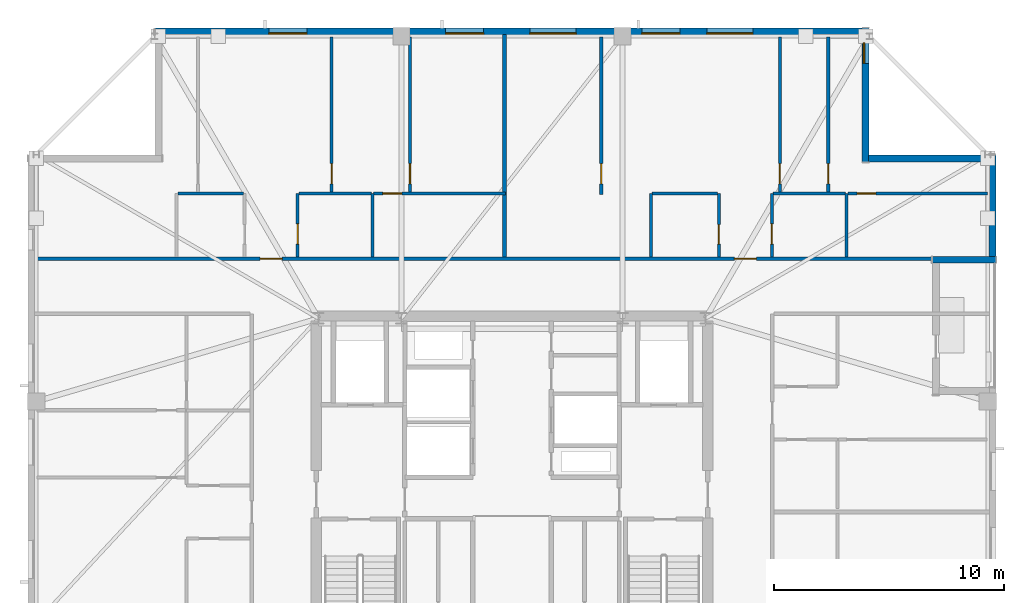
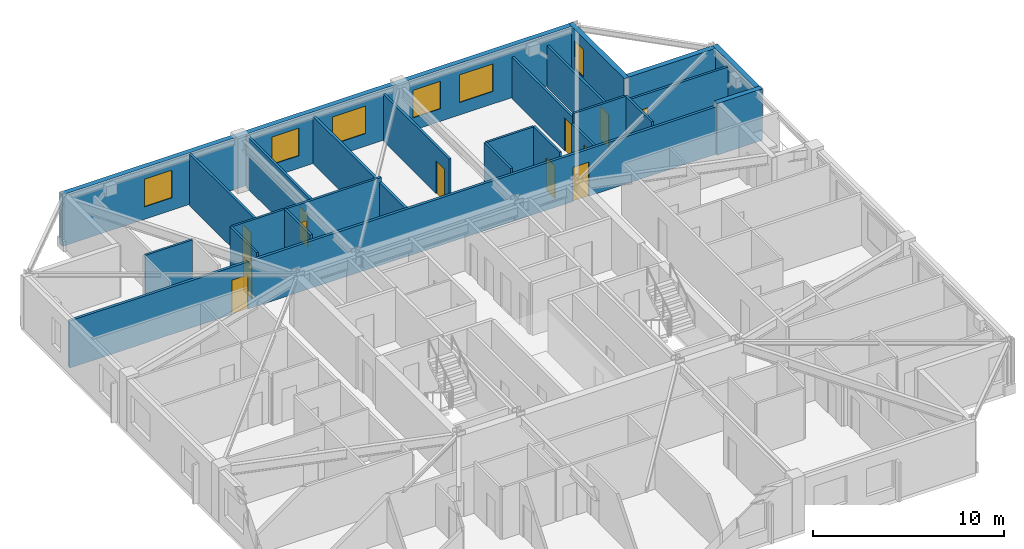
# One storey, part 11 of 16: 24 walls, 12 doors, 6 windows, 18 openings.
"""IFC4 building model written with IfcOpenShell, lengths in metres."""

from ifc_helpers import new_model, si_unit, direction, frame, frame_2d, origin, place, context, subcontext, project, spatial, rectangle, extrude, material, layer, layer_set, type_object, element, fill, save


model = new_model("IFC4")

# Units and contexts
model_context = context("Model", 3, precision=1e-05, world=origin(), true_north=direction((0.0, 1.0)))
body_context = subcontext(model_context, "Body", "Model", "MODEL_VIEW")
ifc_project = project(units=[si_unit("LENGTHUNIT", "METRE"), si_unit("AREAUNIT", "SQUARE_METRE"), si_unit("VOLUMEUNIT", "CUBIC_METRE"), si_unit("PLANEANGLEUNIT", "RADIAN"), si_unit("MASSUNIT", "GRAM", prefix="KILO")], contexts=[model_context])

# Site, building, storey
site_placement = place(None, origin())
site = spatial("IfcSite", under=ifc_project, at=site_placement, CompositionType="ELEMENT")
building_placement = place(site_placement, origin())
building = spatial("IfcBuilding", under=site, at=building_placement, Name="Cairnveth Concourse Tower", CompositionType="ELEMENT")
storey_placement = place(building_placement, frame((0.0, 0.0, 312.0)))
storey = spatial("IfcBuildingStorey", under=building, at=storey_placement, Name="L86", CompositionType="ELEMENT", Elevation=312.0)

# Wall, openings, doors
ifc_material_1 = material(Name="Gypsum Plasterboard Partition", Category="gypsum")
ifc_layer_1 = layer(ifc_material_1, 0.159912109375)
ifc_layer_set_1 = layer_set([ifc_layer_1], Name="Gypsum Plasterboard Partition")
wall_type_1 = type_object("IfcWallType", Name="ACOUSTIC PARTY WALL 180", PredefinedType="PARTITIONING", material=ifc_layer_set_1)
wall_1_placement = place(storey_placement, frame((31.284912109375, 49.99755859375, 0.0), z_axis=(0.0, 0.0, 1.0), x_axis=(1.0, 0.0, 0.0)))
wall_1 = element("IfcWall", 1, at=wall_1_placement, inside=storey, type_object=wall_type_1, Name="Interior Wall IW-L86-037", PredefinedType="PARTITIONING", context=body_context, shape_type="SweptSolid", body=[
    extrude(rectangle(XDim=38.97509765625, YDim=0.159912109375, at=frame_2d((19.487548828125, 0.0))), origin(), (0.0, 0.0, 1.0), 3.009033203125),
])
opening_1_placement = place(wall_1_placement, frame((9.782470703125, 0.0, 0.0)))
opening_1 = element("IfcOpeningElement", 2, at=opening_1_placement, cuts=wall_1, Name="Opening ID10", PredefinedType="OPENING", context=body_context, shape_type="SweptSolid", body=[
    extrude(rectangle(XDim=0.9599609375, YDim=2.179931640625, at=frame_2d((0.47998046875, 1.08984375))), frame((0.0, 0.08984375, 0.0), z_axis=(0.0, -1.0, 0.0), x_axis=(1.0, 0.0, 0.0)), (0.0, 0.0, 1.0), 0.179931640625),
])
opening_2_placement = place(wall_1_placement, frame((30.362548828125, 0.0, 0.0)))
opening_2 = element("IfcOpeningElement", 3, at=opening_2_placement, cuts=wall_1, Name="Opening ID10", PredefinedType="OPENING", context=body_context, shape_type="SweptSolid", body=[
    extrude(rectangle(XDim=0.9599609375, YDim=2.179931640625, at=frame_2d((0.47998046875, 1.08984375))), frame((0.0, 0.08984375, 0.0), z_axis=(0.0, -1.0, 0.0), x_axis=(1.0, 0.0, 0.0)), (0.0, 0.0, 1.0), 0.179931640625),
])
ifc_material_2 = material(Name="Solid Core Hardwood Timber Leaf", Category="wood")
door_type_1 = type_object("IfcDoorType", Name="FLAT ENTRANCE DOOR 960X2150", OperationType="NOTDEFINED", PredefinedType="DOOR", material=ifc_material_2)
door_1_placement = place(opening_1_placement, origin())
door_1 = element("IfcDoor", 4, at=door_1_placement, inside=storey, type_object=door_type_1, Name="Penthouse L86PN1 Entrance Door", OperationType="SINGLE_SWING_RIGHT", OverallHeight=2.179931640625, OverallWidth=0.9599609375, PredefinedType="DOOR", context=body_context, shape_type="SweptSolid", body=[
    extrude(rectangle(XDim=0.9599609375, YDim=2.179931640625, at=frame_2d((0.47998046875, 1.08984375))), frame((0.0, 0.02490234375, 0.0), z_axis=(0.0, -1.0, 0.0), x_axis=(1.0, 0.0, 0.0)), (0.0, 0.0, 1.0), 0.050048828125),
])
fill(opening_1, door_1)
door_2_placement = place(opening_2_placement, origin())
door_2 = element("IfcDoor", 5, at=door_2_placement, inside=storey, type_object=door_type_1, Name="Penthouse L86PN2 Entrance Door", OperationType="SINGLE_SWING_LEFT", OverallHeight=2.179931640625, OverallWidth=0.9599609375, PredefinedType="DOOR", context=body_context, shape_type="SweptSolid", body=[
    extrude(rectangle(XDim=0.9599609375, YDim=2.179931640625, at=frame_2d((0.47998046875, 1.08984375))), frame((0.0, 0.02490234375, 0.0), z_axis=(0.0, -1.0, 0.0), x_axis=(1.0, 0.0, 0.0)), (0.0, 0.0, 1.0), 0.050048828125),
])
fill(opening_2, door_2)

# Wall
wall_2_placement = place(storey_placement, frame((51.675048828125, 50.0625, 0.0), z_axis=(0.0, 0.0, 1.0), x_axis=(0.0, 1.0, 0.0)))
element("IfcWall", 6, at=wall_2_placement, inside=storey, type_object=wall_type_1, Name="Interior Wall IW-L86-075", PredefinedType="PARTITIONING", context=body_context, shape_type="SweptSolid", body=[
    extrude(rectangle(XDim=9.652587890625, YDim=0.159912109375, at=frame_2d((4.826171875, 0.0))), origin(), (0.0, 0.0, 1.0), 3.009033203125),
])

# Wall, opening, door
ifc_layer_2 = layer(ifc_material_1, 0.139892578125)
ifc_layer_set_2 = layer_set([ifc_layer_2], Name="Gypsum Plasterboard Partition")
wall_type_2 = type_object("IfcWallType", Name="GYPSUM STUD PARTITION 140", PredefinedType="PARTITIONING", material=ifc_layer_set_2)
wall_3_placement = place(storey_placement, frame((47.574951171875, 52.78759765625, 0.0), z_axis=(0.0, 0.0, 1.0), x_axis=(0.0, 1.0, 0.0)))
wall_3 = element("IfcWall", 7, at=wall_3_placement, inside=storey, type_object=wall_type_2, Name="Interior Wall IW-L86-072", PredefinedType="PARTITIONING", context=body_context, shape_type="SweptSolid", body=[
    extrude(rectangle(XDim=6.83251953125, YDim=0.139892578125, at=frame_2d((3.416259765625, 0.0))), origin(), (0.0, 0.0, 1.0), 3.2900390625),
])
opening_3_placement = place(wall_3_placement, frame((0.449951171875, 0.0, 0.0)))
opening_3 = element("IfcOpeningElement", 8, at=opening_3_placement, cuts=wall_3, Name="Opening ID18", PredefinedType="OPENING", context=body_context, shape_type="SweptSolid", body=[
    extrude(rectangle(XDim=0.8798828125, YDim=2.10009765625, at=frame_2d((0.43994140625, 1.050048828125))), frame((0.0, 0.079833984375, 0.0), z_axis=(0.0, -1.0, 0.0), x_axis=(1.0, 0.0, 0.0)), (0.0, 0.0, 1.0), 0.159912109375),
])
door_type_2 = type_object("IfcDoorType", Name="INTERIOR SINGLE DOOR 880X2100", OperationType="NOTDEFINED", PredefinedType="DOOR", material=ifc_material_2)
door_3_placement = place(opening_3_placement, origin())
door_3 = element("IfcDoor", 9, at=door_3_placement, inside=storey, type_object=door_type_2, Name="L86PN1 Bedroom 2 Door", OperationType="SINGLE_SWING_RIGHT", OverallHeight=2.10009765625, OverallWidth=0.8798828125, PredefinedType="DOOR", context=body_context, shape_type="SweptSolid", body=[
    extrude(rectangle(XDim=0.8798828125, YDim=2.10009765625, at=frame_2d((0.43994140625, 1.050048828125))), frame((0.0, 0.02490234375, 0.0), z_axis=(0.0, -1.0, 0.0), x_axis=(1.0, 0.0, 0.0)), (0.0, 0.0, 1.0), 0.050048828125),
])
fill(opening_3, door_3)

wall_4_placement = place(storey_placement, frame((45.99755859375, 52.827392578125, 0.0), z_axis=(0.0, 0.0, 1.0), x_axis=(1.0, 0.0, 0.0)))
wall_4 = element("IfcWall", 10, at=wall_4_placement, inside=storey, type_object=wall_type_2, Name="Interior Wall IW-L86-073", PredefinedType="PARTITIONING", context=body_context, shape_type="SweptSolid", body=[
    extrude(rectangle(XDim=5.7275390625, YDim=0.139892578125, at=frame_2d((2.86376953125, 0.0))), origin(), (0.0, 0.0, 1.0), 3.2900390625),
])
opening_4_placement = place(wall_4_placement, frame((0.39990234375, 0.0, 0.0)))
opening_4 = element("IfcOpeningElement", 11, at=opening_4_placement, cuts=wall_4, Name="Opening ID22", PredefinedType="OPENING", context=body_context, shape_type="SweptSolid", body=[
    extrude(rectangle(XDim=0.820068359375, YDim=2.10009765625, at=frame_2d((0.41015625, 1.050048828125))), frame((0.0, 0.079833984375, 0.0), z_axis=(0.0, -1.0, 0.0), x_axis=(1.0, 0.0, 0.0)), (0.0, 0.0, 1.0), 0.159912109375),
])
door_type_3 = type_object("IfcDoorType", Name="INTERIOR WC DOOR 820X2100", OperationType="NOTDEFINED", PredefinedType="DOOR", material=ifc_material_2)
door_4_placement = place(opening_4_placement, origin())
door_4 = element("IfcDoor", 12, at=door_4_placement, inside=storey, type_object=door_type_3, Name="L86PN1 Utility Door", OperationType="SINGLE_SWING_LEFT", OverallHeight=2.10009765625, OverallWidth=0.820068359375, PredefinedType="DOOR", context=body_context, shape_type="SweptSolid", body=[
    extrude(rectangle(XDim=0.820068359375, YDim=2.10009765625, at=frame_2d((0.41015625, 1.050048828125))), frame((0.0, 0.02490234375, 0.0), z_axis=(0.0, -1.0, 0.0), x_axis=(1.0, 0.0, 0.0)), (0.0, 0.0, 1.0), 0.050048828125),
])
fill(opening_4, door_4)

wall_5_placement = place(storey_placement, frame((44.169921875, 52.87744140625, 0.0), z_axis=(0.0, 0.0, 1.0), x_axis=(0.0, 1.0, 0.0)))
wall_5 = element("IfcWall", 13, at=wall_5_placement, inside=storey, type_object=wall_type_2, Name="Interior Wall IW-L86-074", PredefinedType="PARTITIONING", context=body_context, shape_type="SweptSolid", body=[
    extrude(rectangle(XDim=6.74267578125, YDim=0.139892578125, at=frame_2d((3.371337890625, 0.0))), origin(), (0.0, 0.0, 1.0), 3.2900390625),
])
opening_5_placement = place(wall_5_placement, frame((0.360107421875, 0.0, 0.0)))
opening_5 = element("IfcOpeningElement", 14, at=opening_5_placement, cuts=wall_5, Name="Opening ID18", PredefinedType="OPENING", context=body_context, shape_type="SweptSolid", body=[
    extrude(rectangle(XDim=0.8798828125, YDim=2.10009765625, at=frame_2d((0.43994140625, 1.050048828125))), frame((0.0, 0.079833984375, 0.0), z_axis=(0.0, -1.0, 0.0), x_axis=(1.0, 0.0, 0.0)), (0.0, 0.0, 1.0), 0.159912109375),
])
door_5_placement = place(opening_5_placement, origin())
door_5 = element("IfcDoor", 15, at=door_5_placement, inside=storey, type_object=door_type_2, Name="L86PN1 Media Lounge Door", OperationType="SINGLE_SWING_LEFT", OverallHeight=2.10009765625, OverallWidth=0.8798828125, PredefinedType="DOOR", context=body_context, shape_type="SweptSolid", body=[
    extrude(rectangle(XDim=0.8798828125, YDim=2.10009765625, at=frame_2d((0.43994140625, 1.050048828125))), frame((0.0, 0.02490234375, 0.0), z_axis=(0.0, -1.0, 0.0), x_axis=(1.0, 0.0, 0.0)), (0.0, 0.0, 1.0), 0.050048828125),
])
fill(opening_5, door_5)

wall_6_placement = place(storey_placement, frame((55.875, 52.78759765625, 0.0), z_axis=(0.0, 0.0, 1.0), x_axis=(0.0, 1.0, 0.0)))
wall_6 = element("IfcWall", 16, at=wall_6_placement, inside=storey, type_object=wall_type_2, Name="Interior Wall IW-L86-082", PredefinedType="PARTITIONING", context=body_context, shape_type="SweptSolid", body=[
    extrude(rectangle(XDim=6.83251953125, YDim=0.139892578125, at=frame_2d((3.416259765625, 0.0))), origin(), (0.0, 0.0, 1.0), 3.009033203125),
])
opening_6_placement = place(wall_6_placement, frame((0.449951171875, 0.0, 0.0)))
opening_6 = element("IfcOpeningElement", 17, at=opening_6_placement, cuts=wall_6, Name="Opening ID18", PredefinedType="OPENING", context=body_context, shape_type="SweptSolid", body=[
    extrude(rectangle(XDim=0.8798828125, YDim=2.10009765625, at=frame_2d((0.43994140625, 1.050048828125))), frame((0.0, 0.079833984375, 0.0), z_axis=(0.0, -1.0, 0.0), x_axis=(1.0, 0.0, 0.0)), (0.0, 0.0, 1.0), 0.159912109375),
])
door_6_placement = place(opening_6_placement, origin())
door_6 = element("IfcDoor", 18, at=door_6_placement, inside=storey, type_object=door_type_2, Name="L86PN2 Master Bedroom Door", OperationType="SINGLE_SWING_LEFT", OverallHeight=2.10009765625, OverallWidth=0.8798828125, PredefinedType="DOOR", context=body_context, shape_type="SweptSolid", body=[
    extrude(rectangle(XDim=0.8798828125, YDim=2.10009765625, at=frame_2d((0.43994140625, 1.050048828125))), frame((0.0, 0.02490234375, 0.0), z_axis=(0.0, -1.0, 0.0), x_axis=(1.0, 0.0, 0.0)), (0.0, 0.0, 1.0), 0.050048828125),
])
fill(opening_6, door_6)

wall_7_placement = place(storey_placement, frame((65.72998046875, 52.87744140625, 0.0), z_axis=(0.0, 0.0, 1.0), x_axis=(0.0, 1.0, 0.0)))
wall_7 = element("IfcWall", 19, at=wall_7_placement, inside=storey, type_object=wall_type_2, Name="Interior Wall IW-L86-083", PredefinedType="PARTITIONING", context=body_context, shape_type="SweptSolid", body=[
    extrude(rectangle(XDim=6.74267578125, YDim=0.139892578125, at=frame_2d((3.371337890625, 0.0))), origin(), (0.0, 0.0, 1.0), 2.653076171875),
])
opening_7_placement = place(wall_7_placement, frame((0.360107421875, 0.0, 0.0)))
opening_7 = element("IfcOpeningElement", 20, at=opening_7_placement, cuts=wall_7, Name="Opening ID18", PredefinedType="OPENING", context=body_context, shape_type="SweptSolid", body=[
    extrude(rectangle(XDim=0.8798828125, YDim=2.10009765625, at=frame_2d((0.43994140625, 1.050048828125))), frame((0.0, 0.079833984375, 0.0), z_axis=(0.0, -1.0, 0.0), x_axis=(1.0, 0.0, 0.0)), (0.0, 0.0, 1.0), 0.159912109375),
])
door_7_placement = place(opening_7_placement, origin())
door_7 = element("IfcDoor", 21, at=door_7_placement, inside=storey, type_object=door_type_2, Name="L86PN2 Bedroom 2 Door", OperationType="SINGLE_SWING_LEFT", OverallHeight=2.10009765625, OverallWidth=0.8798828125, PredefinedType="DOOR", context=body_context, shape_type="SweptSolid", body=[
    extrude(rectangle(XDim=0.8798828125, YDim=2.10009765625, at=frame_2d((0.43994140625, 1.050048828125))), frame((0.0, 0.02490234375, 0.0), z_axis=(0.0, -1.0, 0.0), x_axis=(1.0, 0.0, 0.0)), (0.0, 0.0, 1.0), 0.050048828125),
])
fill(opening_7, door_7)

wall_8_placement = place(storey_placement, frame((66.577392578125, 52.827392578125, 0.0), z_axis=(0.0, 0.0, 1.0), x_axis=(1.0, 0.0, 0.0)))
wall_8 = element("IfcWall", 22, at=wall_8_placement, inside=storey, type_object=wall_type_2, Name="Interior Wall IW-L86-084", PredefinedType="PARTITIONING", context=body_context, shape_type="SweptSolid", body=[
    extrude(rectangle(XDim=6.052490234375, YDim=0.139892578125, at=frame_2d((3.0263671875, 0.0))), origin(), (0.0, 0.0, 1.0), 3.009033203125),
])
opening_8_placement = place(wall_8_placement, frame((0.39990234375, 0.0, 0.0)))
opening_8 = element("IfcOpeningElement", 23, at=opening_8_placement, cuts=wall_8, Name="Opening ID22", PredefinedType="OPENING", context=body_context, shape_type="SweptSolid", body=[
    extrude(rectangle(XDim=0.820068359375, YDim=2.10009765625, at=frame_2d((0.41015625, 1.050048828125))), frame((0.0, 0.079833984375, 0.0), z_axis=(0.0, -1.0, 0.0), x_axis=(1.0, 0.0, 0.0)), (0.0, 0.0, 1.0), 0.159912109375),
])
door_8_placement = place(opening_8_placement, origin())
door_8 = element("IfcDoor", 24, at=door_8_placement, inside=storey, type_object=door_type_3, Name="L86PN2 Utility Door", OperationType="SINGLE_SWING_RIGHT", OverallHeight=2.10009765625, OverallWidth=0.820068359375, PredefinedType="DOOR", context=body_context, shape_type="SweptSolid", body=[
    extrude(rectangle(XDim=0.820068359375, YDim=2.10009765625, at=frame_2d((0.41015625, 1.050048828125))), frame((0.0, 0.02490234375, 0.0), z_axis=(0.0, -1.0, 0.0), x_axis=(1.0, 0.0, 0.0)), (0.0, 0.0, 1.0), 0.050048828125),
])
fill(opening_8, door_8)

wall_9_placement = place(storey_placement, frame((63.62744140625, 52.87744140625, 0.0), z_axis=(0.0, 0.0, 1.0), x_axis=(0.0, 1.0, 0.0)))
wall_9 = element("IfcWall", 25, at=wall_9_placement, inside=storey, type_object=wall_type_2, Name="Interior Wall IW-L86-085", PredefinedType="PARTITIONING", context=body_context, shape_type="SweptSolid", body=[
    extrude(rectangle(XDim=6.74267578125, YDim=0.139892578125, at=frame_2d((3.371337890625, 0.0))), origin(), (0.0, 0.0, 1.0), 2.653076171875),
])
opening_9_placement = place(wall_9_placement, frame((0.360107421875, 0.0, 0.0)))
opening_9 = element("IfcOpeningElement", 26, at=opening_9_placement, cuts=wall_9, Name="Opening ID18", PredefinedType="OPENING", context=body_context, shape_type="SweptSolid", body=[
    extrude(rectangle(XDim=0.8798828125, YDim=2.10009765625, at=frame_2d((0.43994140625, 1.050048828125))), frame((0.0, 0.079833984375, 0.0), z_axis=(0.0, -1.0, 0.0), x_axis=(1.0, 0.0, 0.0)), (0.0, 0.0, 1.0), 0.159912109375),
])
door_9_placement = place(opening_9_placement, origin())
door_9 = element("IfcDoor", 27, at=door_9_placement, inside=storey, type_object=door_type_2, Name="L86PN2 Media Lounge Door", OperationType="SINGLE_SWING_RIGHT", OverallHeight=2.10009765625, OverallWidth=0.8798828125, PredefinedType="DOOR", context=body_context, shape_type="SweptSolid", body=[
    extrude(rectangle(XDim=0.8798828125, YDim=2.10009765625, at=frame_2d((0.43994140625, 1.050048828125))), frame((0.0, 0.02490234375, 0.0), z_axis=(0.0, -1.0, 0.0), x_axis=(1.0, 0.0, 0.0)), (0.0, 0.0, 1.0), 0.050048828125),
])
fill(opening_9, door_9)

# Walls
ifc_layer_3 = layer(ifc_material_1, 0.1298828125)
ifc_layer_set_3 = layer_set([ifc_layer_3], Name="Gypsum Plasterboard Partition")
wall_type_3 = type_object("IfcWallType", Name="WET AREA PARTITION 140", PredefinedType="PLUMBINGWALL", material=ifc_layer_set_3)
wall_10_placement = place(storey_placement, frame((37.49755859375, 52.827392578125, 0.0), z_axis=(0.0, 0.0, 1.0), x_axis=(1.0, 0.0, 0.0)))
element("IfcWall", 28, at=wall_10_placement, inside=storey, type_object=wall_type_3, Name="Interior Wall IW-L86-067", PredefinedType="PLUMBINGWALL", context=body_context, shape_type="SweptSolid", body=[
    extrude(rectangle(XDim=2.849853515625, YDim=0.1298828125, at=frame_2d((1.4248046875, 0.0))), origin(), (0.0, 0.0, 1.0), 3.2900390625),
])
wall_11_placement = place(storey_placement, frame((45.947509765625, 50.077392578125, 0.0), z_axis=(0.0, 0.0, 1.0), x_axis=(0.0, 1.0, 0.0)))
element("IfcWall", 29, at=wall_11_placement, inside=storey, type_object=wall_type_3, Name="Interior Wall IW-L86-068", PredefinedType="PLUMBINGWALL", context=body_context, shape_type="SweptSolid", body=[
    extrude(rectangle(XDim=2.75, YDim=0.1298828125, at=frame_2d((1.375, 0.0))), origin(), (0.0, 0.0, 1.0), 3.2900390625),
])

# Wall, opening, door
wall_12_placement = place(storey_placement, frame((42.697509765625, 50.077392578125, 0.0), z_axis=(0.0, 0.0, 1.0), x_axis=(0.0, 1.0, 0.0)))
wall_12 = element("IfcWall", 30, at=wall_12_placement, inside=storey, type_object=wall_type_3, Name="Interior Wall IW-L86-069", PredefinedType="PLUMBINGWALL", context=body_context, shape_type="SweptSolid", body=[
    extrude(rectangle(XDim=2.75, YDim=0.1298828125, at=frame_2d((1.375, 0.0))), origin(), (0.0, 0.0, 1.0), 3.2900390625),
])
opening_10_placement = place(wall_12_placement, frame((0.550048828125, 0.0, 0.0)))
opening_10 = element("IfcOpeningElement", 31, at=opening_10_placement, cuts=wall_12, Name="Opening ID18", PredefinedType="OPENING", context=body_context, shape_type="SweptSolid", body=[
    extrude(rectangle(XDim=0.8798828125, YDim=2.10009765625, at=frame_2d((0.43994140625, 1.050048828125))), frame((0.0, 0.074951171875, 0.0), z_axis=(0.0, -1.0, 0.0), x_axis=(1.0, 0.0, 0.0)), (0.0, 0.0, 1.0), 0.14990234375),
])
door_10_placement = place(opening_10_placement, origin())
door_10 = element("IfcDoor", 32, at=door_10_placement, inside=storey, type_object=door_type_2, Name="L86PN1 Kitchen Door", OperationType="SINGLE_SWING_LEFT", OverallHeight=2.10009765625, OverallWidth=0.8798828125, PredefinedType="DOOR", context=body_context, shape_type="SweptSolid", body=[
    extrude(rectangle(XDim=0.8798828125, YDim=2.10009765625, at=frame_2d((0.43994140625, 1.050048828125))), frame((0.0, 0.02490234375, 0.0), z_axis=(0.0, -1.0, 0.0), x_axis=(1.0, 0.0, 0.0)), (0.0, 0.0, 1.0), 0.050048828125),
])
fill(opening_10, door_10)

# Walls
wall_13_placement = place(storey_placement, frame((42.74755859375, 52.827392578125, 0.0), z_axis=(0.0, 0.0, 1.0), x_axis=(1.0, 0.0, 0.0)))
element("IfcWall", 33, at=wall_13_placement, inside=storey, type_object=wall_type_3, Name="Interior Wall IW-L86-070", PredefinedType="PLUMBINGWALL", context=body_context, shape_type="SweptSolid", body=[
    extrude(rectangle(XDim=3.14990234375, YDim=0.1298828125, at=frame_2d((1.574951171875, 0.0))), origin(), (0.0, 0.0, 1.0), 3.2900390625),
])
wall_14_placement = place(storey_placement, frame((58.027587890625, 50.077392578125, 0.0), z_axis=(0.0, 0.0, 1.0), x_axis=(0.0, 1.0, 0.0)))
element("IfcWall", 34, at=wall_14_placement, inside=storey, type_object=wall_type_3, Name="Interior Wall IW-L86-076", PredefinedType="PLUMBINGWALL", context=body_context, shape_type="SweptSolid", body=[
    extrude(rectangle(XDim=2.75, YDim=0.1298828125, at=frame_2d((1.375, 0.0))), origin(), (0.0, 0.0, 1.0), 3.2900390625),
])

# Wall, opening, door
wall_15_placement = place(storey_placement, frame((60.9775390625, 50.077392578125, 0.0), z_axis=(0.0, 0.0, 1.0), x_axis=(0.0, 1.0, 0.0)))
wall_15 = element("IfcWall", 35, at=wall_15_placement, inside=storey, type_object=wall_type_3, Name="Interior Wall IW-L86-077", PredefinedType="PLUMBINGWALL", context=body_context, shape_type="SweptSolid", body=[
    extrude(rectangle(XDim=2.75, YDim=0.1298828125, at=frame_2d((1.375, 0.0))), origin(), (0.0, 0.0, 1.0), 3.2900390625),
])
opening_11_placement = place(wall_15_placement, frame((0.550048828125, 0.0, 0.0)))
opening_11 = element("IfcOpeningElement", 36, at=opening_11_placement, cuts=wall_15, Name="Opening ID21", PredefinedType="OPENING", context=body_context, shape_type="SweptSolid", body=[
    extrude(rectangle(XDim=0.85009765625, YDim=2.080078125, at=frame_2d((0.425048828125, 1.0400390625))), frame((0.0, 0.074951171875, 0.0), z_axis=(0.0, -1.0, 0.0), x_axis=(1.0, 0.0, 0.0)), (0.0, 0.0, 1.0), 0.14990234375),
])
door_type_4 = type_object("IfcDoorType", Name="INTERIOR WC DOOR 850X2100", OperationType="NOTDEFINED", PredefinedType="DOOR", material=ifc_material_2)
door_11_placement = place(opening_11_placement, origin())
door_11 = element("IfcDoor", 37, at=door_11_placement, inside=storey, type_object=door_type_4, Name="L86PN2 Bathroom Door", OperationType="SINGLE_SWING_LEFT", OverallHeight=2.080078125, OverallWidth=0.85009765625, PredefinedType="DOOR", context=body_context, shape_type="SweptSolid", body=[
    extrude(rectangle(XDim=0.85009765625, YDim=2.080078125, at=frame_2d((0.425048828125, 1.0400390625))), frame((0.0, 0.02490234375, 0.0), z_axis=(0.0, -1.0, 0.0), x_axis=(1.0, 0.0, 0.0)), (0.0, 0.0, 1.0), 0.050048828125),
])
fill(opening_11, door_11)

# Walls
wall_16_placement = place(storey_placement, frame((58.077392578125, 52.827392578125, 0.0), z_axis=(0.0, 0.0, 1.0), x_axis=(1.0, 0.0, 0.0)))
element("IfcWall", 38, at=wall_16_placement, inside=storey, type_object=wall_type_3, Name="Interior Wall IW-L86-078", PredefinedType="PLUMBINGWALL", context=body_context, shape_type="SweptSolid", body=[
    extrude(rectangle(XDim=2.85009765625, YDim=0.1298828125, at=frame_2d((1.425048828125, 0.0))), origin(), (0.0, 0.0, 1.0), 3.2900390625),
])
wall_17_placement = place(storey_placement, frame((66.527587890625, 50.077392578125, 0.0), z_axis=(0.0, 0.0, 1.0), x_axis=(0.0, 1.0, 0.0)))
element("IfcWall", 39, at=wall_17_placement, inside=storey, type_object=wall_type_3, Name="Interior Wall IW-L86-079", PredefinedType="PLUMBINGWALL", context=body_context, shape_type="SweptSolid", body=[
    extrude(rectangle(XDim=2.75, YDim=0.1298828125, at=frame_2d((1.375, 0.0))), origin(), (0.0, 0.0, 1.0), 3.2900390625),
])

# Wall, opening, door
wall_18_placement = place(storey_placement, frame((63.277587890625, 50.077392578125, 0.0), z_axis=(0.0, 0.0, 1.0), x_axis=(0.0, 1.0, 0.0)))
wall_18 = element("IfcWall", 40, at=wall_18_placement, inside=storey, type_object=wall_type_3, Name="Interior Wall IW-L86-080", PredefinedType="PLUMBINGWALL", context=body_context, shape_type="SweptSolid", body=[
    extrude(rectangle(XDim=2.75, YDim=0.1298828125, at=frame_2d((1.375, 0.0))), origin(), (0.0, 0.0, 1.0), 2.653076171875),
])
opening_12_placement = place(wall_18_placement, frame((0.550048828125, 0.0, 0.0)))
opening_12 = element("IfcOpeningElement", 41, at=opening_12_placement, cuts=wall_18, Name="Opening ID18", PredefinedType="OPENING", context=body_context, shape_type="SweptSolid", body=[
    extrude(rectangle(XDim=0.8798828125, YDim=2.10009765625, at=frame_2d((0.43994140625, 1.050048828125))), frame((0.0, 0.074951171875, 0.0), z_axis=(0.0, -1.0, 0.0), x_axis=(1.0, 0.0, 0.0)), (0.0, 0.0, 1.0), 0.14990234375),
])
door_12_placement = place(opening_12_placement, origin())
door_12 = element("IfcDoor", 42, at=door_12_placement, inside=storey, type_object=door_type_2, Name="L86PN2 Kitchen Door", OperationType="SINGLE_SWING_RIGHT", OverallHeight=2.10009765625, OverallWidth=0.8798828125, PredefinedType="DOOR", context=body_context, shape_type="SweptSolid", body=[
    extrude(rectangle(XDim=0.8798828125, YDim=2.10009765625, at=frame_2d((0.43994140625, 1.050048828125))), frame((0.0, 0.02490234375, 0.0), z_axis=(0.0, -1.0, 0.0), x_axis=(1.0, 0.0, 0.0)), (0.0, 0.0, 1.0), 0.050048828125),
])
fill(opening_12, door_12)

# Wall
wall_19_placement = place(storey_placement, frame((63.327392578125, 52.827392578125, 0.0), z_axis=(0.0, 0.0, 1.0), x_axis=(1.0, 0.0, 0.0)))
element("IfcWall", 43, at=wall_19_placement, inside=storey, type_object=wall_type_3, Name="Interior Wall IW-L86-081", PredefinedType="PLUMBINGWALL", context=body_context, shape_type="SweptSolid", body=[
    extrude(rectangle(XDim=3.150146484375, YDim=0.1298828125, at=frame_2d((1.5751953125, 0.0))), origin(), (0.0, 0.0, 1.0), 3.2900390625),
])

# Wall, openings, windows
ifc_material_3 = material(Name="Hawthorn Red-Ochre Fired Clay Brick Masonry", Category="masonry")
ifc_layer_4 = layer(ifc_material_3, 0.300048828125)
ifc_layer_set_4 = layer_set([ifc_layer_4], Name="Hawthorn Red-Ochre Fired Clay Brick Masonry")
wall_type_4 = type_object("IfcWallType", Name="ZONE 4 BRICK PIER SPANDREL WALL 300", PredefinedType="SOLIDWALL", material=ifc_layer_set_4)
wall_20_placement = place(storey_placement, frame((36.5, 59.85009765625, 0.0), z_axis=(0.0, 0.0, 1.0), x_axis=(1.0, 0.0, 0.0)))
wall_20 = element("IfcWall", 44, at=wall_20_placement, inside=storey, type_object=wall_type_4, Name="Exterior Wall EW-L86-S09", PredefinedType="SOLIDWALL", context=body_context, shape_type="SweptSolid", body=[
    extrude(rectangle(XDim=30.721923828125, YDim=0.300048828125, at=frame_2d((15.36083984375, 0.0))), origin(), (0.0, 0.0, 1.0), 3.2900390625),
])
opening_13_placement = place(wall_20_placement, frame((4.943603515625, 0.0, 0.800048828125)))
opening_13 = element("IfcOpeningElement", 45, at=opening_13_placement, cuts=wall_20, Name="Opening W04", PredefinedType="OPENING", context=body_context, shape_type="SweptSolid", body=[
    extrude(rectangle(XDim=1.64990234375, YDim=1.758056640625, at=frame_2d((0.824951171875, 0.87890625))), frame((0.0, 0.159912109375, 0.0), z_axis=(0.0, -1.0, 0.0), x_axis=(1.0, 0.0, 0.0)), (0.0, 0.0, 1.0), 0.320068359375),
])
opening_14_placement = place(wall_20_placement, frame((12.617431640625, 0.0, 0.800048828125)))
opening_14 = element("IfcOpeningElement", 46, at=opening_14_placement, cuts=wall_20, Name="Opening W04", PredefinedType="OPENING", context=body_context, shape_type="SweptSolid", body=[
    extrude(rectangle(XDim=1.64990234375, YDim=1.758056640625, at=frame_2d((0.824951171875, 0.87890625))), frame((0.0, 0.159912109375, 0.0), z_axis=(0.0, -1.0, 0.0), x_axis=(1.0, 0.0, 0.0)), (0.0, 0.0, 1.0), 0.320068359375),
])
opening_15_placement = place(wall_20_placement, frame((16.279541015625, 0.0, 0.800048828125)))
opening_15 = element("IfcOpeningElement", 47, at=opening_15_placement, cuts=wall_20, Name="Opening W09", PredefinedType="OPENING", context=body_context, shape_type="SweptSolid", body=[
    extrude(rectangle(XDim=2.0, YDim=1.758056640625, at=frame_2d((1.0, 0.87890625))), frame((0.0, 0.159912109375, 0.0), z_axis=(0.0, -1.0, 0.0), x_axis=(1.0, 0.0, 0.0)), (0.0, 0.0, 1.0), 0.320068359375),
])
opening_16_placement = place(wall_20_placement, frame((21.1416015625, 0.0, 0.800048828125)))
opening_16 = element("IfcOpeningElement", 48, at=opening_16_placement, cuts=wall_20, Name="Opening W04", PredefinedType="OPENING", context=body_context, shape_type="SweptSolid", body=[
    extrude(rectangle(XDim=1.64990234375, YDim=1.758056640625, at=frame_2d((0.824951171875, 0.87890625))), frame((0.0, 0.159912109375, 0.0), z_axis=(0.0, -1.0, 0.0), x_axis=(1.0, 0.0, 0.0)), (0.0, 0.0, 1.0), 0.320068359375),
])
opening_17_placement = place(wall_20_placement, frame((23.95361328125, 0.0, 0.800048828125)))
opening_17 = element("IfcOpeningElement", 49, at=opening_17_placement, cuts=wall_20, Name="Opening W09", PredefinedType="OPENING", context=body_context, shape_type="SweptSolid", body=[
    extrude(rectangle(XDim=2.0, YDim=1.758056640625, at=frame_2d((1.0, 0.87890625))), frame((0.0, 0.159912109375, 0.0), z_axis=(0.0, -1.0, 0.0), x_axis=(1.0, 0.0, 0.0)), (0.0, 0.0, 1.0), 0.320068359375),
])
ifc_material_4 = material(Name="Double Glazed Low-E Clear Glass", Category="glass")
window_type_1 = type_object("IfcWindowType", Name="DEEP-SET GOTHIC LANCET WINDOW 1650X1850", PartitioningType="DOUBLE_PANEL_VERTICAL", PredefinedType="WINDOW", material=ifc_material_4)
window_1_placement = place(opening_13_placement, origin())
window_1 = element("IfcWindow", 50, at=window_1_placement, inside=storey, type_object=window_type_1, Name="Gothic Lancet Window L86-9-1", OverallHeight=1.758056640625, OverallWidth=1.64990234375, PartitioningType="SINGLE_PANEL", PredefinedType="WINDOW", context=body_context, shape_type="SweptSolid", body=[
    extrude(rectangle(XDim=1.64990234375, YDim=1.758056640625, at=frame_2d((0.824951171875, 0.87890625))), frame((0.0, -0.050048828125, 0.0), z_axis=(0.0, -1.0, 0.0), x_axis=(1.0, 0.0, 0.0)), (0.0, 0.0, 1.0), 0.06005859375),
])
fill(opening_13, window_1)
window_2_placement = place(opening_14_placement, origin())
window_2 = element("IfcWindow", 51, at=window_2_placement, inside=storey, type_object=window_type_1, Name="Gothic Lancet Window L86-9-3", OverallHeight=1.758056640625, OverallWidth=1.64990234375, PartitioningType="SINGLE_PANEL", PredefinedType="WINDOW", context=body_context, shape_type="SweptSolid", body=[
    extrude(rectangle(XDim=1.64990234375, YDim=1.758056640625, at=frame_2d((0.824951171875, 0.87890625))), frame((0.0, -0.050048828125, 0.0), z_axis=(0.0, -1.0, 0.0), x_axis=(1.0, 0.0, 0.0)), (0.0, 0.0, 1.0), 0.06005859375),
])
fill(opening_14, window_2)
window_3_placement = place(opening_16_placement, origin())
window_3 = element("IfcWindow", 52, at=window_3_placement, inside=storey, type_object=window_type_1, Name="Gothic Lancet Window L86-9-5", OverallHeight=1.758056640625, OverallWidth=1.64990234375, PartitioningType="SINGLE_PANEL", PredefinedType="WINDOW", context=body_context, shape_type="SweptSolid", body=[
    extrude(rectangle(XDim=1.64990234375, YDim=1.758056640625, at=frame_2d((0.824951171875, 0.87890625))), frame((0.0, -0.050048828125, 0.0), z_axis=(0.0, -1.0, 0.0), x_axis=(1.0, 0.0, 0.0)), (0.0, 0.0, 1.0), 0.06005859375),
])
fill(opening_16, window_3)
window_type_2 = type_object("IfcWindowType", Name="DEEP-SET PENTHOUSE LANCET WINDOW 2000X1850", PartitioningType="DOUBLE_PANEL_VERTICAL", PredefinedType="WINDOW", material=ifc_material_4)
window_4_placement = place(opening_15_placement, origin())
window_4 = element("IfcWindow", 53, at=window_4_placement, inside=storey, type_object=window_type_2, Name="Gothic Lancet Window L86-9-4", OverallHeight=1.758056640625, OverallWidth=2.0, PartitioningType="SINGLE_PANEL", PredefinedType="WINDOW", context=body_context, shape_type="SweptSolid", body=[
    extrude(rectangle(XDim=2.0, YDim=1.758056640625, at=frame_2d((1.0, 0.87890625))), frame((0.0, -0.050048828125, 0.0), z_axis=(0.0, -1.0, 0.0), x_axis=(1.0, 0.0, 0.0)), (0.0, 0.0, 1.0), 0.06005859375),
])
fill(opening_15, window_4)
window_5_placement = place(opening_17_placement, origin())
window_5 = element("IfcWindow", 54, at=window_5_placement, inside=storey, type_object=window_type_2, Name="Gothic Lancet Window L86-9-6", OverallHeight=1.758056640625, OverallWidth=2.0, PartitioningType="SINGLE_PANEL", PredefinedType="WINDOW", context=body_context, shape_type="SweptSolid", body=[
    extrude(rectangle(XDim=2.0, YDim=1.758056640625, at=frame_2d((1.0, 0.87890625))), frame((0.0, -0.050048828125, 0.0), z_axis=(0.0, -1.0, 0.0), x_axis=(1.0, 0.0, 0.0)), (0.0, 0.0, 1.0), 0.06005859375),
])
fill(opening_17, window_5)

# Wall, opening, window
wall_21_placement = place(storey_placement, frame((67.35009765625, 60.0, 0.0), z_axis=(0.0, 0.0, 1.0), x_axis=(0.0, -1.0, 0.0)))
wall_21 = element("IfcWall", 55, at=wall_21_placement, inside=storey, type_object=wall_type_4, Name="Exterior Wall EW-L86-S10", PredefinedType="SOLIDWALL", context=body_context, shape_type="SweptSolid", body=[
    extrude(rectangle(XDim=5.800048828125, YDim=0.300048828125, at=frame_2d((2.89990234375, 0.0))), origin(), (0.0, 0.0, 1.0), 3.2900390625),
])
opening_18_placement = place(wall_21_placement, frame((0.6298828125, 0.0, 0.800048828125)))
opening_18 = element("IfcOpeningElement", 56, at=opening_18_placement, cuts=wall_21, Name="Opening W13", PredefinedType="OPENING", context=body_context, shape_type="SweptSolid", body=[
    extrude(rectangle(XDim=0.89990234375, YDim=1.75, at=frame_2d((0.449951171875, 0.875))), frame((0.0, 0.159912109375, 0.0), z_axis=(0.0, -1.0, 0.0), x_axis=(1.0, 0.0, 0.0)), (0.0, 0.0, 1.0), 0.320068359375),
])
window_type_3 = type_object("IfcWindowType", Name="DEEP-SET BEDROOM LANCET WINDOW 900X1750", PartitioningType="DOUBLE_PANEL_VERTICAL", PredefinedType="WINDOW", material=ifc_material_4)
window_6_placement = place(opening_18_placement, origin())
window_6 = element("IfcWindow", 57, at=window_6_placement, inside=storey, type_object=window_type_3, Name="Dwelling Lancet Window L86-DW4", OverallHeight=1.75, OverallWidth=0.89990234375, PartitioningType="SINGLE_PANEL", PredefinedType="WINDOW", context=body_context, shape_type="SweptSolid", body=[
    extrude(rectangle(XDim=0.89990234375, YDim=1.75, at=frame_2d((0.449951171875, 0.875))), frame((0.0, -0.0400390625, 0.0), z_axis=(0.0, -1.0, 0.0), x_axis=(1.0, 0.0, 0.0)), (0.0, 0.0, 1.0), 0.06005859375),
])
fill(opening_18, window_6)

# Walls
wall_22_placement = place(storey_placement, frame((67.47802734375, 54.35009765625, 0.0), z_axis=(0.0, 0.0, 1.0), x_axis=(1.0, 0.0, 0.0)))
element("IfcWall", 58, at=wall_22_placement, inside=storey, type_object=wall_type_4, Name="Exterior Wall EW-L86-S11", PredefinedType="SOLIDWALL", context=body_context, shape_type="SweptSolid", body=[
    extrude(rectangle(XDim=5.243896484375, YDim=0.300048828125, at=frame_2d((2.6220703125, 0.0))), origin(), (0.0, 0.0, 1.0), 3.2900390625),
])
wall_23_placement = place(storey_placement, frame((72.85009765625, 54.5, 0.0), z_axis=(0.0, 0.0, 1.0), x_axis=(0.0, -1.0, 0.0)))
element("IfcWall", 59, at=wall_23_placement, inside=storey, type_object=wall_type_4, Name="Exterior Wall EW-L86-S12", PredefinedType="SOLIDWALL", context=body_context, shape_type="SweptSolid", body=[
    extrude(rectangle(XDim=4.422119140625, YDim=0.300048828125, at=frame_2d((2.2109375, 0.0))), origin(), (0.0, 0.0, 1.0), 3.2900390625),
])
wall_24_placement = place(storey_placement, frame((73.0, 49.949951171875, 0.0), z_axis=(0.0, 0.0, 1.0), x_axis=(-1.0, 0.0, 0.0)))
element("IfcWall", 60, at=wall_24_placement, inside=storey, type_object=wall_type_4, Name="Exterior Wall EW-L86-S13", PredefinedType="SOLIDWALL", context=body_context, shape_type="SweptSolid", body=[
    extrude(rectangle(XDim=2.75, YDim=0.300048828125, at=frame_2d((1.375, 0.0))), origin(), (0.0, 0.0, 1.0), 3.2900390625),
])

save(model, "model.ifc")
